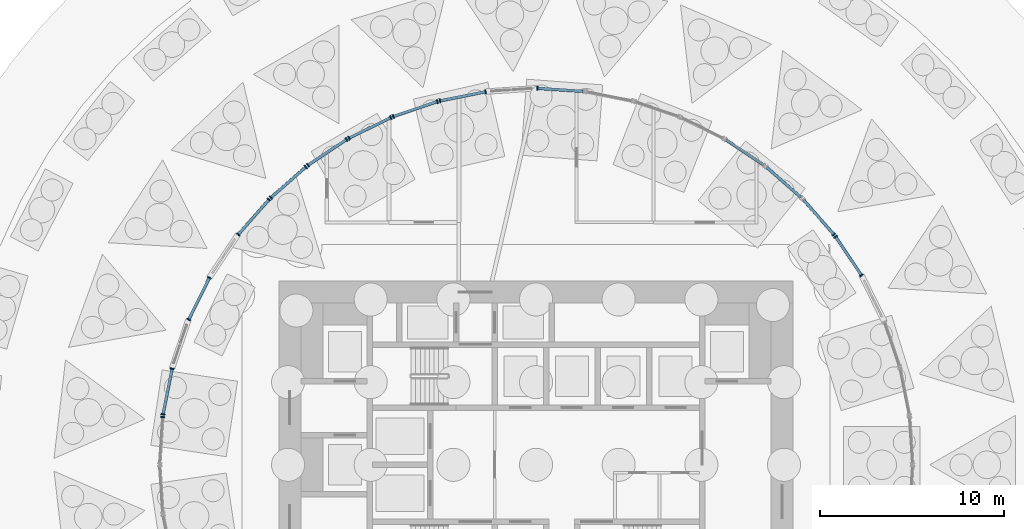
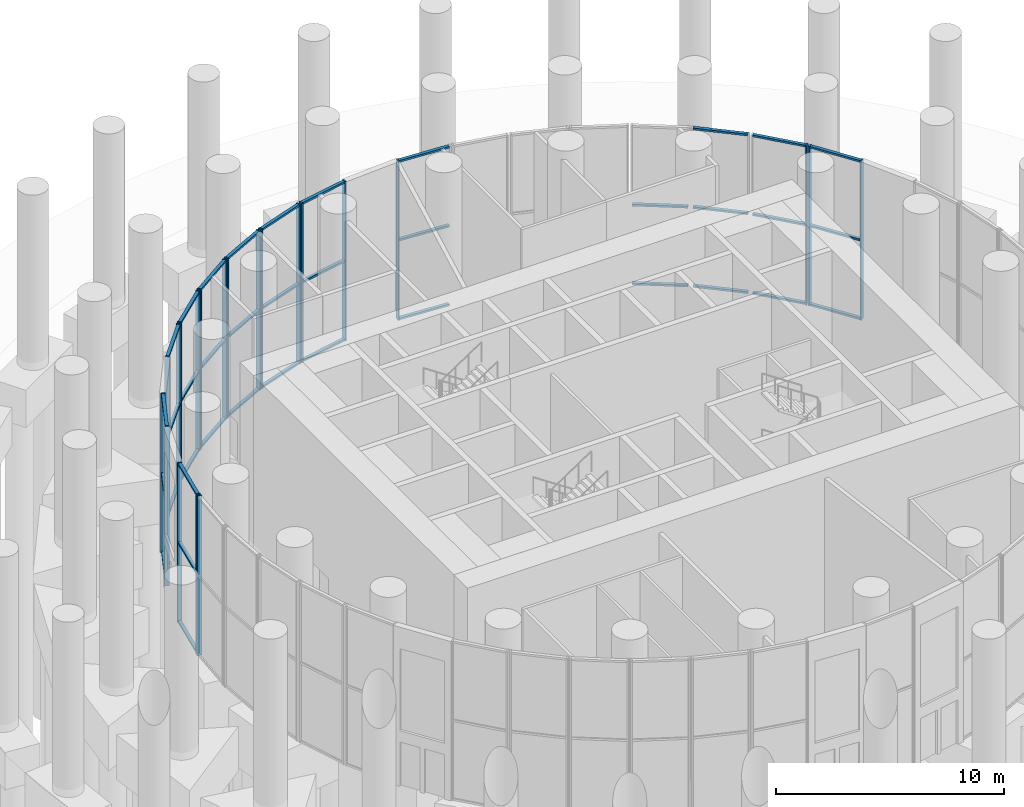
# One storey, part 8 of 20: 59 members, 14 elements without a shape of their own.
"""IFC4 building model written with IfcOpenShell, lengths in metres."""

from ifc_helpers import new_model, si_unit, direction, frame, origin, origin_2d, place, context, subcontext, project, spatial, rectangle, extrude, material, material_profile, profile_set, type_object, element, aggregate, save


model = new_model("IFC4")

# Units and contexts
model_context = context("Model", 3, precision=1e-05, world=origin(), true_north=direction((0.0, 1.0)))
body_context = subcontext(model_context, "Body", "Model", "MODEL_VIEW")
ifc_project = project(units=[si_unit("LENGTHUNIT", "METRE"), si_unit("AREAUNIT", "SQUARE_METRE"), si_unit("VOLUMEUNIT", "CUBIC_METRE"), si_unit("PLANEANGLEUNIT", "RADIAN"), si_unit("MASSUNIT", "GRAM", prefix="KILO")], contexts=[model_context])

# Site, building, storey
site_placement = place(None, origin())
site = spatial("IfcSite", under=ifc_project, at=site_placement, CompositionType="ELEMENT")
building_placement = place(site_placement, origin())
building = spatial("IfcBuilding", under=site, at=building_placement, Name="Tracery Tower", CompositionType="ELEMENT")
storey_placement = place(building_placement, origin())
storey = spatial("IfcBuildingStorey", under=building, at=storey_placement, Name="L00", CompositionType="ELEMENT", Elevation=0.0)

# Curtain wall, members
ifc_material_1 = material(Name="Aluminium curtain wall with tinted glass", Category="aluminium")
curtain_wall_type = type_object("IfcCurtainWallType", Name="Pavilion storefront curtain wall", PredefinedType="NOTDEFINED", material=ifc_material_1)
curtain_wall_1_placement = place(storey_placement, origin())
curtain_wall_1 = element("IfcCurtainWall", 1, at=curtain_wall_1_placement, inside=storey, type_object=curtain_wall_type, Name="Pavilion storefront run 04", PredefinedType="NOTDEFINED")
ifc_material_2 = material(Name="Aluminium, bronze anodised", Category="aluminium")
ifc_material_profile_1 = material_profile(ifc_material_2, rectangle(XDim=0.219970703125, YDim=0.070068359375, at=origin_2d()), Name="Pavilion storefront mullion 70 x 220")
ifc_profile_set_1 = profile_set([ifc_material_profile_1], Name="Aluminium, bronze anodised")
member_type_1 = type_object("IfcMemberType", Name="Pavilion storefront mullion 70 x 220", PredefinedType="MULLION", material=ifc_profile_set_1)
member_1_placement = place(storey_placement, frame((17.7119140625, 10.3125, 0.0), z_axis=(0.0, 0.0, 1.0), x_axis=(-0.83147621975, -0.555560344148, 0.0)))
member_1 = element("IfcMember", 2, at=member_1_placement, type_object=member_type_1, Name="CWB1 mullion 1", PredefinedType="MULLION", context=body_context, shape_type="SweptSolid", body=[
    extrude(rectangle(XDim=0.219970703125, YDim=0.070068359375, at=origin_2d()), origin(), (0.0, 0.0, 1.0), 8.550048828125),
])
member_2_placement = place(storey_placement, frame((16.305419921875, 12.417236328125, 0.0), z_axis=(0.0, 0.0, 1.0), x_axis=(-0.83147621975, -0.555560344148, 0.0)))
member_2 = element("IfcMember", 3, at=member_2_placement, type_object=member_type_1, Name="CWB1 mullion 2", PredefinedType="MULLION", context=body_context, shape_type="SweptSolid", body=[
    extrude(rectangle(XDim=0.219970703125, YDim=0.070068359375, at=origin_2d()), origin(), (0.0, 0.0, 1.0), 8.550048828125),
])

# Curtain wall, member
curtain_wall_2_placement = place(storey_placement, origin())
curtain_wall_2 = element("IfcCurtainWall", 4, at=curtain_wall_2_placement, inside=storey, type_object=curtain_wall_type, Name="Pavilion storefront run 05", PredefinedType="NOTDEFINED")
member_3_placement = place(storey_placement, frame((16.21435546875, 12.5361328125, 0.0), z_axis=(0.0, 0.0, 1.0), x_axis=(-0.751835665604, -0.659350537973, 0.0)))
member_3 = element("IfcMember", 5, at=member_3_placement, type_object=member_type_1, Name="CWB1 mullion 1", PredefinedType="MULLION", context=body_context, shape_type="SweptSolid", body=[
    extrude(rectangle(XDim=0.219970703125, YDim=0.070068359375, at=origin_2d()), origin(), (0.0, 0.0, 1.0), 8.550048828125),
])

curtain_wall_3_placement = place(storey_placement, origin())
curtain_wall_3 = element("IfcCurtainWall", 6, at=curtain_wall_3_placement, inside=storey, type_object=curtain_wall_type, Name="Pavilion storefront run 11", PredefinedType="NOTDEFINED")
member_4_placement = place(storey_placement, frame((0.07470703125, 20.4951171875, 0.0), z_axis=(0.0, 0.0, 1.0), x_axis=(-0.065421948674, -0.997857689569, 0.0)))
member_4 = element("IfcMember", 7, at=member_4_placement, type_object=member_type_1, Name="CWB1 mullion 2", PredefinedType="MULLION", context=body_context, shape_type="SweptSolid", body=[
    extrude(rectangle(XDim=0.219970703125, YDim=0.070068359375, at=origin_2d()), origin(), (0.0, 0.0, 1.0), 8.550048828125),
])

# Curtain wall, members
curtain_wall_4_placement = place(storey_placement, origin())
curtain_wall_4 = element("IfcCurtainWall", 8, at=curtain_wall_4_placement, inside=storey, type_object=curtain_wall_type, Name="Pavilion storefront run 13", PredefinedType="NOTDEFINED")
member_5_placement = place(storey_placement, frame((-2.749267578125, 20.31005859375, 0.0), z_axis=(0.0, 0.0, 1.0), x_axis=(0.195073758352, -0.980788574976, 0.0)))
member_5 = element("IfcMember", 9, at=member_5_placement, type_object=member_type_1, Name="CWB1 mullion 1", PredefinedType="MULLION", context=body_context, shape_type="SweptSolid", body=[
    extrude(rectangle(XDim=0.219970703125, YDim=0.070068359375, at=origin_2d()), origin(), (0.0, 0.0, 1.0), 8.550048828125),
])
member_6_placement = place(storey_placement, frame((-5.232177734375, 19.816162109375, 0.0), z_axis=(0.0, 0.0, 1.0), x_axis=(0.195073758352, -0.980788574976, 0.0)))
member_6 = element("IfcMember", 10, at=member_6_placement, type_object=member_type_1, Name="CWB1 mullion 2", PredefinedType="MULLION", context=body_context, shape_type="SweptSolid", body=[
    extrude(rectangle(XDim=0.219970703125, YDim=0.070068359375, at=origin_2d()), origin(), (0.0, 0.0, 1.0), 8.550048828125),
])

curtain_wall_5_placement = place(storey_placement, origin())
curtain_wall_5 = element("IfcCurtainWall", 11, at=curtain_wall_5_placement, inside=storey, type_object=curtain_wall_type, Name="Pavilion storefront run 14", PredefinedType="NOTDEFINED")
member_7_placement = place(storey_placement, frame((-5.376953125, 19.77734375, 0.0), z_axis=(0.0, 0.0, 1.0), x_axis=(0.32143545964, -0.946931489225, 0.0)))
member_7 = element("IfcMember", 12, at=member_7_placement, type_object=member_type_1, Name="CWB1 mullion 1", PredefinedType="MULLION", context=body_context, shape_type="SweptSolid", body=[
    extrude(rectangle(XDim=0.219970703125, YDim=0.070068359375, at=origin_2d()), origin(), (0.0, 0.0, 1.0), 8.550048828125),
])
member_8_placement = place(storey_placement, frame((-7.77392578125, 18.963623046875, 0.0), z_axis=(0.0, 0.0, 1.0), x_axis=(0.32143545964, -0.946931489225, 0.0)))
member_8 = element("IfcMember", 13, at=member_8_placement, type_object=member_type_1, Name="CWB1 mullion 2", PredefinedType="MULLION", context=body_context, shape_type="SweptSolid", body=[
    extrude(rectangle(XDim=0.219970703125, YDim=0.070068359375, at=origin_2d()), origin(), (0.0, 0.0, 1.0), 8.550048828125),
])

curtain_wall_6_placement = place(storey_placement, origin())
curtain_wall_6 = element("IfcCurtainWall", 14, at=curtain_wall_6_placement, inside=storey, type_object=curtain_wall_type, Name="Pavilion storefront run 15", PredefinedType="NOTDEFINED")
member_9_placement = place(storey_placement, frame((-7.912353515625, 18.90625, 0.0), z_axis=(0.0, 0.0, 1.0), x_axis=(0.442286554251, -0.896873794872, 0.0)))
member_9 = element("IfcMember", 15, at=member_9_placement, type_object=member_type_1, Name="CWB1 mullion 1", PredefinedType="MULLION", context=body_context, shape_type="SweptSolid", body=[
    extrude(rectangle(XDim=0.219970703125, YDim=0.070068359375, at=origin_2d()), origin(), (0.0, 0.0, 1.0), 8.550048828125),
])
member_10_placement = place(storey_placement, frame((-10.1826171875, 17.78662109375, 0.0), z_axis=(0.0, 0.0, 1.0), x_axis=(0.442286554251, -0.896873794872, 0.0)))
member_10 = element("IfcMember", 16, at=member_10_placement, type_object=member_type_1, Name="CWB1 mullion 2", PredefinedType="MULLION", context=body_context, shape_type="SweptSolid", body=[
    extrude(rectangle(XDim=0.219970703125, YDim=0.070068359375, at=origin_2d()), origin(), (0.0, 0.0, 1.0), 8.550048828125),
])

curtain_wall_7_placement = place(storey_placement, origin())
curtain_wall_7 = element("IfcCurtainWall", 17, at=curtain_wall_7_placement, inside=storey, type_object=curtain_wall_type, Name="Pavilion storefront run 16", PredefinedType="NOTDEFINED")
member_11_placement = place(storey_placement, frame((-10.3125, 17.7119140625, 0.0), z_axis=(0.0, 0.0, 1.0), x_axis=(0.555560344148, -0.83147621975, 0.0)))
member_11 = element("IfcMember", 18, at=member_11_placement, type_object=member_type_1, Name="CWB1 mullion 1", PredefinedType="MULLION", context=body_context, shape_type="SweptSolid", body=[
    extrude(rectangle(XDim=0.219970703125, YDim=0.070068359375, at=origin_2d()), origin(), (0.0, 0.0, 1.0), 8.550048828125),
])
member_12_placement = place(storey_placement, frame((-12.417236328125, 16.305419921875, 0.0), z_axis=(0.0, 0.0, 1.0), x_axis=(0.555560344148, -0.83147621975, 0.0)))
member_12 = element("IfcMember", 19, at=member_12_placement, type_object=member_type_1, Name="CWB1 mullion 2", PredefinedType="MULLION", context=body_context, shape_type="SweptSolid", body=[
    extrude(rectangle(XDim=0.219970703125, YDim=0.070068359375, at=origin_2d()), origin(), (0.0, 0.0, 1.0), 8.550048828125),
])

curtain_wall_8_placement = place(storey_placement, origin())
curtain_wall_8 = element("IfcCurtainWall", 20, at=curtain_wall_8_placement, inside=storey, type_object=curtain_wall_type, Name="Pavilion storefront run 17", PredefinedType="NOTDEFINED")
member_13_placement = place(storey_placement, frame((-12.5361328125, 16.21435546875, 0.0), z_axis=(0.0, 0.0, 1.0), x_axis=(0.659350537973, -0.751835665604, 0.0)))
member_13 = element("IfcMember", 21, at=member_13_placement, type_object=member_type_1, Name="CWB1 mullion 1", PredefinedType="MULLION", context=body_context, shape_type="SweptSolid", body=[
    extrude(rectangle(XDim=0.219970703125, YDim=0.070068359375, at=origin_2d()), origin(), (0.0, 0.0, 1.0), 8.550048828125),
])
member_14_placement = place(storey_placement, frame((-14.439208984375, 14.545166015625, 0.0), z_axis=(0.0, 0.0, 1.0), x_axis=(0.659350537973, -0.751835665604, 0.0)))
member_14 = element("IfcMember", 22, at=member_14_placement, type_object=member_type_1, Name="CWB1 mullion 2", PredefinedType="MULLION", context=body_context, shape_type="SweptSolid", body=[
    extrude(rectangle(XDim=0.219970703125, YDim=0.070068359375, at=origin_2d()), origin(), (0.0, 0.0, 1.0), 8.550048828125),
])

curtain_wall_9_placement = place(storey_placement, origin())
curtain_wall_9 = element("IfcCurtainWall", 23, at=curtain_wall_9_placement, inside=storey, type_object=curtain_wall_type, Name="Pavilion storefront run 18", PredefinedType="NOTDEFINED")
member_15_placement = place(storey_placement, frame((-14.545166015625, 14.439208984375, 0.0), z_axis=(0.0, 0.0, 1.0), x_axis=(0.751835665604, -0.659350537973, 0.0)))
member_15 = element("IfcMember", 24, at=member_15_placement, type_object=member_type_1, Name="CWB1 mullion 1", PredefinedType="MULLION", context=body_context, shape_type="SweptSolid", body=[
    extrude(rectangle(XDim=0.219970703125, YDim=0.070068359375, at=origin_2d()), origin(), (0.0, 0.0, 1.0), 8.550048828125),
])
member_16_placement = place(storey_placement, frame((-16.21435546875, 12.5361328125, 0.0), z_axis=(0.0, 0.0, 1.0), x_axis=(0.751835665604, -0.659350537973, 0.0)))
member_16 = element("IfcMember", 25, at=member_16_placement, type_object=member_type_1, Name="CWB1 mullion 2", PredefinedType="MULLION", context=body_context, shape_type="SweptSolid", body=[
    extrude(rectangle(XDim=0.219970703125, YDim=0.070068359375, at=origin_2d()), origin(), (0.0, 0.0, 1.0), 8.550048828125),
])

curtain_wall_10_placement = place(storey_placement, origin())
curtain_wall_10 = element("IfcCurtainWall", 26, at=curtain_wall_10_placement, inside=storey, type_object=curtain_wall_type, Name="Pavilion storefront run 20", PredefinedType="NOTDEFINED")
member_17_placement = place(storey_placement, frame((-17.78662109375, 10.1826171875, 0.0), z_axis=(0.0, 0.0, 1.0), x_axis=(0.896873794872, -0.442286554251, 0.0)))
member_17 = element("IfcMember", 27, at=member_17_placement, type_object=member_type_1, Name="CWB1 mullion 1", PredefinedType="MULLION", context=body_context, shape_type="SweptSolid", body=[
    extrude(rectangle(XDim=0.219970703125, YDim=0.070068359375, at=origin_2d()), origin(), (0.0, 0.0, 1.0), 8.550048828125),
])
member_18_placement = place(storey_placement, frame((-18.90625, 7.912353515625, 0.0), z_axis=(0.0, 0.0, 1.0), x_axis=(0.896873794872, -0.442286554251, 0.0)))
member_18 = element("IfcMember", 28, at=member_18_placement, type_object=member_type_1, Name="CWB1 mullion 2", PredefinedType="MULLION", context=body_context, shape_type="SweptSolid", body=[
    extrude(rectangle(XDim=0.219970703125, YDim=0.070068359375, at=origin_2d()), origin(), (0.0, 0.0, 1.0), 8.550048828125),
])

curtain_wall_11_placement = place(storey_placement, origin())
curtain_wall_11 = element("IfcCurtainWall", 29, at=curtain_wall_11_placement, inside=storey, type_object=curtain_wall_type, Name="Pavilion storefront run 22", PredefinedType="NOTDEFINED")
member_19_placement = place(storey_placement, frame((-19.816162109375, 5.232177734375, 0.0), z_axis=(0.0, 0.0, 1.0), x_axis=(0.980788574976, -0.195073758352, 0.0)))
member_19 = element("IfcMember", 30, at=member_19_placement, type_object=member_type_1, Name="CWB1 mullion 1", PredefinedType="MULLION", context=body_context, shape_type="SweptSolid", body=[
    extrude(rectangle(XDim=0.219970703125, YDim=0.070068359375, at=origin_2d()), origin(), (0.0, 0.0, 1.0), 8.550048828125),
])
member_20_placement = place(storey_placement, frame((-20.31005859375, 2.749267578125, 0.0), z_axis=(0.0, 0.0, 1.0), x_axis=(0.980788574976, -0.195073758352, 0.0)))
member_20 = element("IfcMember", 31, at=member_20_placement, type_object=member_type_1, Name="CWB1 mullion 2", PredefinedType="MULLION", context=body_context, shape_type="SweptSolid", body=[
    extrude(rectangle(XDim=0.219970703125, YDim=0.070068359375, at=origin_2d()), origin(), (0.0, 0.0, 1.0), 8.550048828125),
])

# Curtain wall, member
curtain_wall_12_placement = place(storey_placement, origin())
curtain_wall_12 = element("IfcCurtainWall", 32, at=curtain_wall_12_placement, inside=storey, type_object=curtain_wall_type, Name="Pavilion storefront run 23", PredefinedType="NOTDEFINED")
member_21_placement = place(storey_placement, frame((-20.32958984375, 2.60107421875, 0.0), z_axis=(0.0, 0.0, 1.0), x_axis=(0.997857689569, -0.065421948674, 0.0)))
member_21 = element("IfcMember", 33, at=member_21_placement, type_object=member_type_1, Name="CWB1 mullion 1", PredefinedType="MULLION", context=body_context, shape_type="SweptSolid", body=[
    extrude(rectangle(XDim=0.219970703125, YDim=0.070068359375, at=origin_2d()), origin(), (0.0, 0.0, 1.0), 8.550048828125),
])
aggregate(curtain_wall_12, [member_21])

# Member
ifc_material_3 = material(Name="Aluminium, bronze anodised", Category="aluminium")
ifc_material_profile_2 = material_profile(ifc_material_3, rectangle(XDim=0.159912109375, YDim=0.10009765625, at=origin_2d()), Name="Pavilion storefront transom 100 x 160")
ifc_profile_set_2 = profile_set([ifc_material_profile_2], Name="Aluminium, bronze anodised")
member_type_2 = type_object("IfcMemberType", Name="Pavilion storefront transom 100 x 160", PredefinedType="USERDEFINED", material=ifc_profile_set_2)
member_22_placement = place(storey_placement, frame((17.6923828125, 10.341552734375, 0.050048828125), z_axis=(-0.555546813919, 0.831485259968, 0.0), x_axis=(-0.831485259968, -0.555546813919, 0.0)))
member_22 = element("IfcMember", 34, at=member_22_placement, type_object=member_type_2, Name="CWB1 transom 1.1", ObjectType="TRANSOM", PredefinedType="USERDEFINED", context=body_context, shape_type="SweptSolid", body=[
    extrude(rectangle(XDim=0.159912109375, YDim=0.10009765625, at=origin_2d()), origin(), (0.0, 0.0, 1.0), 2.46142578125),
])

member_23_placement = place(storey_placement, frame((17.6923828125, 10.341552734375, 4.27490234375), z_axis=(-0.555546813919, 0.831485259968, 0.0), x_axis=(-0.831485259968, -0.555546813919, 0.0)))
member_23 = element("IfcMember", 35, at=member_23_placement, type_object=member_type_2, Name="CWB1 transom 1.2", ObjectType="TRANSOM", PredefinedType="USERDEFINED", context=body_context, shape_type="SweptSolid", body=[
    extrude(rectangle(XDim=0.159912109375, YDim=0.10009765625, at=origin_2d()), origin(), (0.0, 0.0, 1.0), 2.46142578125),
])

member_24_placement = place(storey_placement, frame((17.6923828125, 10.341552734375, 8.5), z_axis=(-0.555546813919, 0.831485259968, 0.0), x_axis=(-0.831485259968, -0.555546813919, 0.0)))
member_24 = element("IfcMember", 36, at=member_24_placement, type_object=member_type_2, Name="CWB1 transom 1.3", ObjectType="TRANSOM", PredefinedType="USERDEFINED", context=body_context, shape_type="SweptSolid", body=[
    extrude(rectangle(XDim=0.159912109375, YDim=0.10009765625, at=origin_2d()), origin(), (0.0, 0.0, 1.0), 2.46142578125),
])

aggregate(curtain_wall_1, [member_1, member_2, member_22, member_23, member_24])

member_25_placement = place(storey_placement, frame((16.191162109375, 12.562255859375, 0.050048828125), z_axis=(-0.659269644382, 0.751906600581, 0.0), x_axis=(-0.751906600581, -0.659269644382, 0.0)))
member_25 = element("IfcMember", 37, at=member_25_placement, type_object=member_type_2, Name="CWB1 transom 1.1", ObjectType="TRANSOM", PredefinedType="USERDEFINED", context=body_context, shape_type="SweptSolid", body=[
    extrude(rectangle(XDim=0.159912109375, YDim=0.10009765625, at=origin_2d()), origin(), (0.0, 0.0, 1.0), 2.46142578125),
])

member_26_placement = place(storey_placement, frame((16.191162109375, 12.562255859375, 4.27490234375), z_axis=(-0.659269644382, 0.751906600581, 0.0), x_axis=(-0.751906600581, -0.659269644382, 0.0)))
member_26 = element("IfcMember", 38, at=member_26_placement, type_object=member_type_2, Name="CWB1 transom 1.2", ObjectType="TRANSOM", PredefinedType="USERDEFINED", context=body_context, shape_type="SweptSolid", body=[
    extrude(rectangle(XDim=0.159912109375, YDim=0.10009765625, at=origin_2d()), origin(), (0.0, 0.0, 1.0), 2.46142578125),
])

member_27_placement = place(storey_placement, frame((16.191162109375, 12.562255859375, 8.5), z_axis=(-0.659269644382, 0.751906600581, 0.0), x_axis=(-0.751906600581, -0.659269644382, 0.0)))
member_27 = element("IfcMember", 39, at=member_27_placement, type_object=member_type_2, Name="CWB1 transom 1.3", ObjectType="TRANSOM", PredefinedType="USERDEFINED", context=body_context, shape_type="SweptSolid", body=[
    extrude(rectangle(XDim=0.159912109375, YDim=0.10009765625, at=origin_2d()), origin(), (0.0, 0.0, 1.0), 2.46142578125),
])

aggregate(curtain_wall_2, [member_3, member_25, member_26, member_27])

# Curtain wall, members
curtain_wall_13_placement = place(storey_placement, origin())
curtain_wall_13 = element("IfcCurtainWall", 40, at=curtain_wall_13_placement, inside=storey, type_object=curtain_wall_type, Name="Pavilion storefront run 06", PredefinedType="NOTDEFINED")
member_28_placement = place(storey_placement, frame((14.4130859375, 14.568359375, 0.050048828125), z_axis=(-0.751906600581, 0.659269644382, 0.0), x_axis=(-0.659269644382, -0.751906600581, 0.0)))
member_28 = element("IfcMember", 41, at=member_28_placement, type_object=member_type_2, Name="CWB1 transom 1.1", ObjectType="TRANSOM", PredefinedType="USERDEFINED", context=body_context, shape_type="SweptSolid", body=[
    extrude(rectangle(XDim=0.159912109375, YDim=0.10009765625, at=origin_2d()), origin(), (0.0, 0.0, 1.0), 2.46142578125),
])
member_29_placement = place(storey_placement, frame((14.4130859375, 14.568359375, 4.27490234375), z_axis=(-0.751906600581, 0.659269644382, 0.0), x_axis=(-0.659269644382, -0.751906600581, 0.0)))
member_29 = element("IfcMember", 42, at=member_29_placement, type_object=member_type_2, Name="CWB1 transom 1.2", ObjectType="TRANSOM", PredefinedType="USERDEFINED", context=body_context, shape_type="SweptSolid", body=[
    extrude(rectangle(XDim=0.159912109375, YDim=0.10009765625, at=origin_2d()), origin(), (0.0, 0.0, 1.0), 2.46142578125),
])
member_30_placement = place(storey_placement, frame((14.4130859375, 14.568359375, 8.5), z_axis=(-0.751906600581, 0.659269644382, 0.0), x_axis=(-0.659269644382, -0.751906600581, 0.0)))
member_30 = element("IfcMember", 43, at=member_30_placement, type_object=member_type_2, Name="CWB1 transom 1.3", ObjectType="TRANSOM", PredefinedType="USERDEFINED", context=body_context, shape_type="SweptSolid", body=[
    extrude(rectangle(XDim=0.159912109375, YDim=0.10009765625, at=origin_2d()), origin(), (0.0, 0.0, 1.0), 2.46142578125),
])
aggregate(curtain_wall_13, [member_28, member_29, member_30])

curtain_wall_14_placement = place(storey_placement, origin())
curtain_wall_14 = element("IfcCurtainWall", 44, at=curtain_wall_14_placement, inside=storey, type_object=curtain_wall_type, Name="Pavilion storefront run 07", PredefinedType="NOTDEFINED")
member_31_placement = place(storey_placement, frame((12.38818359375, 16.324951171875, 0.050048828125), z_axis=(-0.831485259968, 0.555546813919, 0.0), x_axis=(-0.555546813919, -0.831485259968, 0.0)))
member_31 = element("IfcMember", 45, at=member_31_placement, type_object=member_type_2, Name="CWB1 transom 1.1", ObjectType="TRANSOM", PredefinedType="USERDEFINED", context=body_context, shape_type="SweptSolid", body=[
    extrude(rectangle(XDim=0.159912109375, YDim=0.10009765625, at=origin_2d()), origin(), (0.0, 0.0, 1.0), 2.46142578125),
])
member_32_placement = place(storey_placement, frame((12.38818359375, 16.324951171875, 4.27490234375), z_axis=(-0.831485259968, 0.555546813919, 0.0), x_axis=(-0.555546813919, -0.831485259968, 0.0)))
member_32 = element("IfcMember", 46, at=member_32_placement, type_object=member_type_2, Name="CWB1 transom 1.2", ObjectType="TRANSOM", PredefinedType="USERDEFINED", context=body_context, shape_type="SweptSolid", body=[
    extrude(rectangle(XDim=0.159912109375, YDim=0.10009765625, at=origin_2d()), origin(), (0.0, 0.0, 1.0), 2.46142578125),
])
aggregate(curtain_wall_14, [member_31, member_32])

# Member
member_33_placement = place(storey_placement, frame((2.566162109375, 20.331787109375, 0.050048828125), z_axis=(-0.997855250145, 0.065459145721, 0.0), x_axis=(-0.065459145721, -0.997855250145, 0.0)))
member_33 = element("IfcMember", 47, at=member_33_placement, type_object=member_type_2, Name="CWB1 transom 1.1", ObjectType="TRANSOM", PredefinedType="USERDEFINED", context=body_context, shape_type="SweptSolid", body=[
    extrude(rectangle(XDim=0.159912109375, YDim=0.10009765625, at=origin_2d()), origin(), (0.0, 0.0, 1.0), 2.461669921875),
])

member_34_placement = place(storey_placement, frame((2.566162109375, 20.331787109375, 4.27490234375), z_axis=(-0.997855250145, 0.065459145721, 0.0), x_axis=(-0.065459145721, -0.997855250145, 0.0)))
member_34 = element("IfcMember", 48, at=member_34_placement, type_object=member_type_2, Name="CWB1 transom 1.2", ObjectType="TRANSOM", PredefinedType="USERDEFINED", context=body_context, shape_type="SweptSolid", body=[
    extrude(rectangle(XDim=0.159912109375, YDim=0.10009765625, at=origin_2d()), origin(), (0.0, 0.0, 1.0), 2.461669921875),
])

member_35_placement = place(storey_placement, frame((2.566162109375, 20.331787109375, 8.5), z_axis=(-0.997855250145, 0.065459145721, 0.0), x_axis=(-0.065459145721, -0.997855250145, 0.0)))
member_35 = element("IfcMember", 49, at=member_35_placement, type_object=member_type_2, Name="CWB1 transom 1.3", ObjectType="TRANSOM", PredefinedType="USERDEFINED", context=body_context, shape_type="SweptSolid", body=[
    extrude(rectangle(XDim=0.159912109375, YDim=0.10009765625, at=origin_2d()), origin(), (0.0, 0.0, 1.0), 2.461669921875),
])

aggregate(curtain_wall_3, [member_4, member_33, member_34, member_35])

member_36_placement = place(storey_placement, frame((-2.78369140625, 20.30322265625, 0.050048828125), z_axis=(-0.980786123, -0.195086085948, 0.0), x_axis=(0.195086085948, -0.980786123, 0.0)))
member_36 = element("IfcMember", 50, at=member_36_placement, type_object=member_type_2, Name="CWB1 transom 1.1", ObjectType="TRANSOM", PredefinedType="USERDEFINED", context=body_context, shape_type="SweptSolid", body=[
    extrude(rectangle(XDim=0.159912109375, YDim=0.10009765625, at=origin_2d()), origin(), (0.0, 0.0, 1.0), 2.461669921875),
])

member_37_placement = place(storey_placement, frame((-2.78369140625, 20.30322265625, 4.27490234375), z_axis=(-0.980786123, -0.195086085948, 0.0), x_axis=(0.195086085948, -0.980786123, 0.0)))
member_37 = element("IfcMember", 51, at=member_37_placement, type_object=member_type_2, Name="CWB1 transom 1.2", ObjectType="TRANSOM", PredefinedType="USERDEFINED", context=body_context, shape_type="SweptSolid", body=[
    extrude(rectangle(XDim=0.159912109375, YDim=0.10009765625, at=origin_2d()), origin(), (0.0, 0.0, 1.0), 2.461669921875),
])

member_38_placement = place(storey_placement, frame((-2.78369140625, 20.30322265625, 8.5), z_axis=(-0.980786123, -0.195086085948, 0.0), x_axis=(0.195086085948, -0.980786123, 0.0)))
member_38 = element("IfcMember", 52, at=member_38_placement, type_object=member_type_2, Name="CWB1 transom 1.3", ObjectType="TRANSOM", PredefinedType="USERDEFINED", context=body_context, shape_type="SweptSolid", body=[
    extrude(rectangle(XDim=0.159912109375, YDim=0.10009765625, at=origin_2d()), origin(), (0.0, 0.0, 1.0), 2.461669921875),
])

aggregate(curtain_wall_4, [member_5, member_6, member_36, member_37, member_38])

member_39_placement = place(storey_placement, frame((-5.409912109375, 19.76611328125, 0.050048828125), z_axis=(-0.946923179789, -0.32145993775, 0.0), x_axis=(0.32145993775, -0.946923179789, 0.0)))
member_39 = element("IfcMember", 53, at=member_39_placement, type_object=member_type_2, Name="CWB1 transom 1.1", ObjectType="TRANSOM", PredefinedType="USERDEFINED", context=body_context, shape_type="SweptSolid", body=[
    extrude(rectangle(XDim=0.159912109375, YDim=0.10009765625, at=origin_2d()), origin(), (0.0, 0.0, 1.0), 2.46142578125),
])

member_40_placement = place(storey_placement, frame((-5.409912109375, 19.76611328125, 4.27490234375), z_axis=(-0.946923179789, -0.32145993775, 0.0), x_axis=(0.32145993775, -0.946923179789, 0.0)))
member_40 = element("IfcMember", 54, at=member_40_placement, type_object=member_type_2, Name="CWB1 transom 1.2", ObjectType="TRANSOM", PredefinedType="USERDEFINED", context=body_context, shape_type="SweptSolid", body=[
    extrude(rectangle(XDim=0.159912109375, YDim=0.10009765625, at=origin_2d()), origin(), (0.0, 0.0, 1.0), 2.46142578125),
])

member_41_placement = place(storey_placement, frame((-5.409912109375, 19.76611328125, 8.5), z_axis=(-0.946923179789, -0.32145993775, 0.0), x_axis=(0.32145993775, -0.946923179789, 0.0)))
member_41 = element("IfcMember", 55, at=member_41_placement, type_object=member_type_2, Name="CWB1 transom 1.3", ObjectType="TRANSOM", PredefinedType="USERDEFINED", context=body_context, shape_type="SweptSolid", body=[
    extrude(rectangle(XDim=0.159912109375, YDim=0.10009765625, at=origin_2d()), origin(), (0.0, 0.0, 1.0), 2.46142578125),
])

aggregate(curtain_wall_5, [member_7, member_8, member_39, member_40, member_41])

member_42_placement = place(storey_placement, frame((-7.943603515625, 18.890869140625, 0.050048828125), z_axis=(-0.896892966216, -0.442247676253, 0.0), x_axis=(0.442247676253, -0.896892966216, 0.0)))
member_42 = element("IfcMember", 56, at=member_42_placement, type_object=member_type_2, Name="CWB1 transom 1.1", ObjectType="TRANSOM", PredefinedType="USERDEFINED", context=body_context, shape_type="SweptSolid", body=[
    extrude(rectangle(XDim=0.159912109375, YDim=0.10009765625, at=origin_2d()), origin(), (0.0, 0.0, 1.0), 2.461669921875),
])

member_43_placement = place(storey_placement, frame((-7.943603515625, 18.890869140625, 4.27490234375), z_axis=(-0.896892966216, -0.442247676253, 0.0), x_axis=(0.442247676253, -0.896892966216, 0.0)))
member_43 = element("IfcMember", 57, at=member_43_placement, type_object=member_type_2, Name="CWB1 transom 1.2", ObjectType="TRANSOM", PredefinedType="USERDEFINED", context=body_context, shape_type="SweptSolid", body=[
    extrude(rectangle(XDim=0.159912109375, YDim=0.10009765625, at=origin_2d()), origin(), (0.0, 0.0, 1.0), 2.461669921875),
])

member_44_placement = place(storey_placement, frame((-7.943603515625, 18.890869140625, 8.5), z_axis=(-0.896892966216, -0.442247676253, 0.0), x_axis=(0.442247676253, -0.896892966216, 0.0)))
member_44 = element("IfcMember", 58, at=member_44_placement, type_object=member_type_2, Name="CWB1 transom 1.3", ObjectType="TRANSOM", PredefinedType="USERDEFINED", context=body_context, shape_type="SweptSolid", body=[
    extrude(rectangle(XDim=0.159912109375, YDim=0.10009765625, at=origin_2d()), origin(), (0.0, 0.0, 1.0), 2.461669921875),
])

aggregate(curtain_wall_6, [member_9, member_10, member_42, member_43, member_44])

member_45_placement = place(storey_placement, frame((-10.341552734375, 17.6923828125, 0.050048828125), z_axis=(-0.831485259968, -0.555546813919, 0.0), x_axis=(0.555546813919, -0.831485259968, 0.0)))
member_45 = element("IfcMember", 59, at=member_45_placement, type_object=member_type_2, Name="CWB1 transom 1.1", ObjectType="TRANSOM", PredefinedType="USERDEFINED", context=body_context, shape_type="SweptSolid", body=[
    extrude(rectangle(XDim=0.159912109375, YDim=0.10009765625, at=origin_2d()), origin(), (0.0, 0.0, 1.0), 2.46142578125),
])

member_46_placement = place(storey_placement, frame((-10.341552734375, 17.6923828125, 4.27490234375), z_axis=(-0.831485259968, -0.555546813919, 0.0), x_axis=(0.555546813919, -0.831485259968, 0.0)))
member_46 = element("IfcMember", 60, at=member_46_placement, type_object=member_type_2, Name="CWB1 transom 1.2", ObjectType="TRANSOM", PredefinedType="USERDEFINED", context=body_context, shape_type="SweptSolid", body=[
    extrude(rectangle(XDim=0.159912109375, YDim=0.10009765625, at=origin_2d()), origin(), (0.0, 0.0, 1.0), 2.46142578125),
])

member_47_placement = place(storey_placement, frame((-10.341552734375, 17.6923828125, 8.5), z_axis=(-0.831485259968, -0.555546813919, 0.0), x_axis=(0.555546813919, -0.831485259968, 0.0)))
member_47 = element("IfcMember", 61, at=member_47_placement, type_object=member_type_2, Name="CWB1 transom 1.3", ObjectType="TRANSOM", PredefinedType="USERDEFINED", context=body_context, shape_type="SweptSolid", body=[
    extrude(rectangle(XDim=0.159912109375, YDim=0.10009765625, at=origin_2d()), origin(), (0.0, 0.0, 1.0), 2.46142578125),
])

aggregate(curtain_wall_7, [member_11, member_12, member_45, member_46, member_47])

member_48_placement = place(storey_placement, frame((-12.562255859375, 16.191162109375, 0.050048828125), z_axis=(-0.751906600581, -0.659269644382, 0.0), x_axis=(0.659269644382, -0.751906600581, 0.0)))
member_48 = element("IfcMember", 62, at=member_48_placement, type_object=member_type_2, Name="CWB1 transom 1.1", ObjectType="TRANSOM", PredefinedType="USERDEFINED", context=body_context, shape_type="SweptSolid", body=[
    extrude(rectangle(XDim=0.159912109375, YDim=0.10009765625, at=origin_2d()), origin(), (0.0, 0.0, 1.0), 2.46142578125),
])

member_49_placement = place(storey_placement, frame((-12.562255859375, 16.191162109375, 4.27490234375), z_axis=(-0.751906600581, -0.659269644382, 0.0), x_axis=(0.659269644382, -0.751906600581, 0.0)))
member_49 = element("IfcMember", 63, at=member_49_placement, type_object=member_type_2, Name="CWB1 transom 1.2", ObjectType="TRANSOM", PredefinedType="USERDEFINED", context=body_context, shape_type="SweptSolid", body=[
    extrude(rectangle(XDim=0.159912109375, YDim=0.10009765625, at=origin_2d()), origin(), (0.0, 0.0, 1.0), 2.46142578125),
])

member_50_placement = place(storey_placement, frame((-12.562255859375, 16.191162109375, 8.5), z_axis=(-0.751906600581, -0.659269644382, 0.0), x_axis=(0.659269644382, -0.751906600581, 0.0)))
member_50 = element("IfcMember", 64, at=member_50_placement, type_object=member_type_2, Name="CWB1 transom 1.3", ObjectType="TRANSOM", PredefinedType="USERDEFINED", context=body_context, shape_type="SweptSolid", body=[
    extrude(rectangle(XDim=0.159912109375, YDim=0.10009765625, at=origin_2d()), origin(), (0.0, 0.0, 1.0), 2.46142578125),
])

aggregate(curtain_wall_8, [member_13, member_14, member_48, member_49, member_50])

member_51_placement = place(storey_placement, frame((-14.568359375, 14.4130859375, 0.050048828125), z_axis=(-0.659269644382, -0.751906600581, 0.0), x_axis=(0.751906600581, -0.659269644382, 0.0)))
member_51 = element("IfcMember", 65, at=member_51_placement, type_object=member_type_2, Name="CWB1 transom 1.1", ObjectType="TRANSOM", PredefinedType="USERDEFINED", context=body_context, shape_type="SweptSolid", body=[
    extrude(rectangle(XDim=0.159912109375, YDim=0.10009765625, at=origin_2d()), origin(), (0.0, 0.0, 1.0), 2.46142578125),
])

member_52_placement = place(storey_placement, frame((-14.568359375, 14.4130859375, 4.27490234375), z_axis=(-0.659269644382, -0.751906600581, 0.0), x_axis=(0.751906600581, -0.659269644382, 0.0)))
member_52 = element("IfcMember", 66, at=member_52_placement, type_object=member_type_2, Name="CWB1 transom 1.2", ObjectType="TRANSOM", PredefinedType="USERDEFINED", context=body_context, shape_type="SweptSolid", body=[
    extrude(rectangle(XDim=0.159912109375, YDim=0.10009765625, at=origin_2d()), origin(), (0.0, 0.0, 1.0), 2.46142578125),
])

member_53_placement = place(storey_placement, frame((-14.568359375, 14.4130859375, 8.5), z_axis=(-0.659269644382, -0.751906600581, 0.0), x_axis=(0.751906600581, -0.659269644382, 0.0)))
member_53 = element("IfcMember", 67, at=member_53_placement, type_object=member_type_2, Name="CWB1 transom 1.3", ObjectType="TRANSOM", PredefinedType="USERDEFINED", context=body_context, shape_type="SweptSolid", body=[
    extrude(rectangle(XDim=0.159912109375, YDim=0.10009765625, at=origin_2d()), origin(), (0.0, 0.0, 1.0), 2.46142578125),
])

aggregate(curtain_wall_9, [member_15, member_16, member_51, member_52, member_53])

member_54_placement = place(storey_placement, frame((-17.80224609375, 10.1513671875, 0.050048828125), z_axis=(-0.442247676253, -0.896892966216, 0.0), x_axis=(0.896892966216, -0.442247676253, 0.0)))
member_54 = element("IfcMember", 68, at=member_54_placement, type_object=member_type_2, Name="CWB1 transom 1.1", ObjectType="TRANSOM", PredefinedType="USERDEFINED", context=body_context, shape_type="SweptSolid", body=[
    extrude(rectangle(XDim=0.159912109375, YDim=0.10009765625, at=origin_2d()), origin(), (0.0, 0.0, 1.0), 2.461669921875),
])

member_55_placement = place(storey_placement, frame((-17.80224609375, 10.1513671875, 4.27490234375), z_axis=(-0.442247676253, -0.896892966216, 0.0), x_axis=(0.896892966216, -0.442247676253, 0.0)))
member_55 = element("IfcMember", 69, at=member_55_placement, type_object=member_type_2, Name="CWB1 transom 1.2", ObjectType="TRANSOM", PredefinedType="USERDEFINED", context=body_context, shape_type="SweptSolid", body=[
    extrude(rectangle(XDim=0.159912109375, YDim=0.10009765625, at=origin_2d()), origin(), (0.0, 0.0, 1.0), 2.461669921875),
])

member_56_placement = place(storey_placement, frame((-17.80224609375, 10.1513671875, 8.5), z_axis=(-0.442247676253, -0.896892966216, 0.0), x_axis=(0.896892966216, -0.442247676253, 0.0)))
member_56 = element("IfcMember", 70, at=member_56_placement, type_object=member_type_2, Name="CWB1 transom 1.3", ObjectType="TRANSOM", PredefinedType="USERDEFINED", context=body_context, shape_type="SweptSolid", body=[
    extrude(rectangle(XDim=0.159912109375, YDim=0.10009765625, at=origin_2d()), origin(), (0.0, 0.0, 1.0), 2.461669921875),
])

aggregate(curtain_wall_10, [member_17, member_18, member_54, member_55, member_56])

member_57_placement = place(storey_placement, frame((-19.822998046875, 5.197998046875, 0.050048828125), z_axis=(-0.195086085948, -0.980786123, 0.0), x_axis=(0.980786123, -0.195086085948, 0.0)))
member_57 = element("IfcMember", 71, at=member_57_placement, type_object=member_type_2, Name="CWB1 transom 1.1", ObjectType="TRANSOM", PredefinedType="USERDEFINED", context=body_context, shape_type="SweptSolid", body=[
    extrude(rectangle(XDim=0.159912109375, YDim=0.10009765625, at=origin_2d()), origin(), (0.0, 0.0, 1.0), 2.461669921875),
])

member_58_placement = place(storey_placement, frame((-19.822998046875, 5.197998046875, 4.27490234375), z_axis=(-0.195086085948, -0.980786123, 0.0), x_axis=(0.980786123, -0.195086085948, 0.0)))
member_58 = element("IfcMember", 72, at=member_58_placement, type_object=member_type_2, Name="CWB1 transom 1.2", ObjectType="TRANSOM", PredefinedType="USERDEFINED", context=body_context, shape_type="SweptSolid", body=[
    extrude(rectangle(XDim=0.159912109375, YDim=0.10009765625, at=origin_2d()), origin(), (0.0, 0.0, 1.0), 2.461669921875),
])

member_59_placement = place(storey_placement, frame((-19.822998046875, 5.197998046875, 8.5), z_axis=(-0.195086085948, -0.980786123, 0.0), x_axis=(0.980786123, -0.195086085948, 0.0)))
member_59 = element("IfcMember", 73, at=member_59_placement, type_object=member_type_2, Name="CWB1 transom 1.3", ObjectType="TRANSOM", PredefinedType="USERDEFINED", context=body_context, shape_type="SweptSolid", body=[
    extrude(rectangle(XDim=0.159912109375, YDim=0.10009765625, at=origin_2d()), origin(), (0.0, 0.0, 1.0), 2.461669921875),
])

aggregate(curtain_wall_11, [member_19, member_20, member_57, member_58, member_59])

save(model, "model.ifc")
